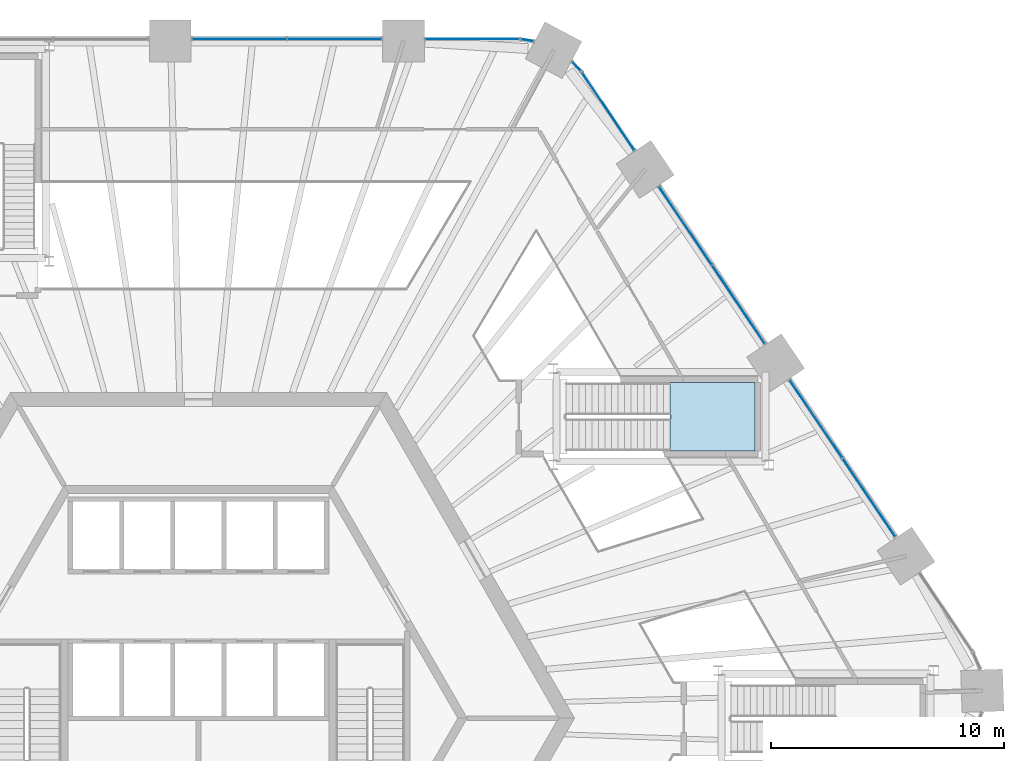
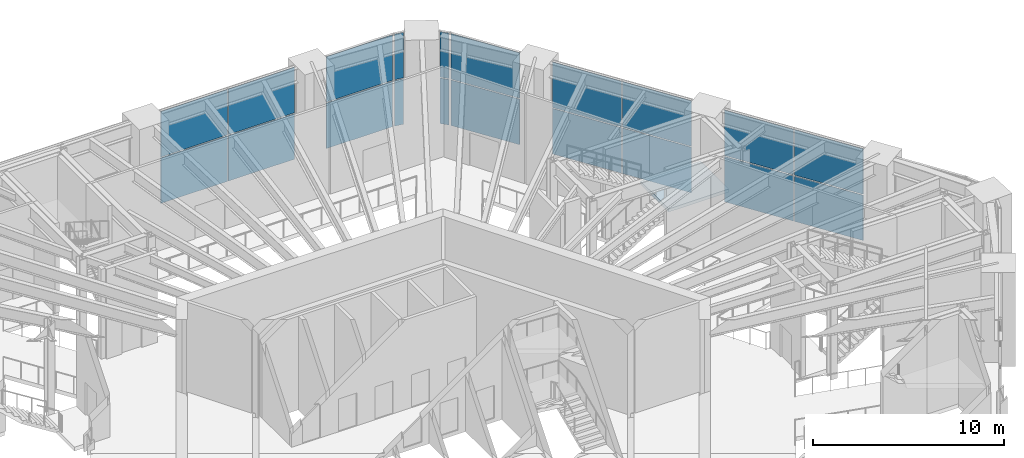
# One storey, part 19 of 32: 20 plates, 1 slab, 8 elements without a shape of their own.
"""IFC4 building model written with IfcOpenShell, lengths in metres."""

from ifc_helpers import new_model, si_unit, direction, frame, origin, origin_2d, place, context, subcontext, project, spatial, polyline, rectangle, outline, extrude, material, layer, layer_set, type_object, element, aggregate, save


model = new_model("IFC4")

# Units and contexts
model_context = context("Model", 3, precision=1e-05, world=origin(), true_north=direction((0.0, 1.0)))
body_context = subcontext(model_context, "Body", "Model", "MODEL_VIEW")
ifc_project = project(units=[si_unit("LENGTHUNIT", "METRE"), si_unit("AREAUNIT", "SQUARE_METRE"), si_unit("VOLUMEUNIT", "CUBIC_METRE"), si_unit("PLANEANGLEUNIT", "RADIAN"), si_unit("MASSUNIT", "GRAM", prefix="KILO")], contexts=[model_context])

# Site, building, storey
site_placement = place(None, origin())
site = spatial("IfcSite", under=ifc_project, at=site_placement, CompositionType="ELEMENT")
building_placement = place(site_placement, origin())
building = spatial("IfcBuilding", under=site, at=building_placement, Name="Tarnside Tower", CompositionType="ELEMENT")
storey_placement = place(building_placement, frame((0.0, 0.0, 9.0)))
storey = spatial("IfcBuildingStorey", under=building, at=storey_placement, Name="L01", CompositionType="ELEMENT", Elevation=9.0)

# Curtain wall, plates
ifc_material_1 = material(Name="Lobby entrance glazing wall", Category="glass")
curtain_wall_type_1 = type_object("IfcCurtainWallType", Name="Lobby entrance glazing wall", PredefinedType="NOTDEFINED", material=ifc_material_1)
curtain_wall_1_placement = place(storey_placement, origin())
curtain_wall_1 = element("IfcCurtainWall", 1, at=curtain_wall_1_placement, inside=storey, type_object=curtain_wall_type_1, Name="Lobby entrance glazing L01 20.0", PredefinedType="NOTDEFINED")
ifc_material_2 = material(Name="Low-iron safety glass", Category="glass")
ifc_layer_1 = layer(ifc_material_2, 0.030029296875)
ifc_layer_set_1 = layer_set([ifc_layer_1], Name="Lobby entrance glazing panel 30")
plate_type_1 = type_object("IfcPlateType", Name="Lobby entrance glazing panel 30", PredefinedType="CURTAIN_PANEL", material=ifc_layer_set_1)
plate_1_placement = place(storey_placement, frame((28.8193359375, 9.473876953125, -0.179931640625), z_axis=(0.0, 0.0, 1.0), x_axis=(-0.559192903485, 0.829037572545, 0.0)))
plate_1 = element("IfcPlate", 2, at=plate_1_placement, type_object=plate_type_1, Name="CW3 panel 1.1", PredefinedType="CURTAIN_PANEL", context=body_context, shape_type="SweptSolid", body=[
    extrude(rectangle(XDim=4.0068359375, YDim=0.030029296875, at=origin_2d()), origin(), (0.0, 0.0, 1.0), 2.89501953125),
])
plate_2_placement = place(storey_placement, frame((28.8193359375, 9.473876953125, 2.784912109375), z_axis=(0.0, 0.0, 1.0), x_axis=(-0.559192903485, 0.829037572545, 0.0)))
plate_2 = element("IfcPlate", 3, at=plate_2_placement, type_object=plate_type_1, Name="CW3 panel 1.2", PredefinedType="CURTAIN_PANEL", context=body_context, shape_type="SweptSolid", body=[
    extrude(rectangle(XDim=4.0068359375, YDim=0.030029296875, at=origin_2d()), origin(), (0.0, 0.0, 1.0), 2.89501953125),
])
plate_3_placement = place(storey_placement, frame((26.53955078125, 12.853759765625, -0.179931640625), z_axis=(0.0, 0.0, 1.0), x_axis=(-0.559192903485, 0.829037572545, 0.0)))
plate_3 = element("IfcPlate", 4, at=plate_3_placement, type_object=plate_type_1, Name="CW3 panel 2.1", PredefinedType="CURTAIN_PANEL", context=body_context, shape_type="SweptSolid", body=[
    extrude(rectangle(XDim=4.0068359375, YDim=0.030029296875, at=origin_2d()), origin(), (0.0, 0.0, 1.0), 2.89501953125),
])
plate_4_placement = place(storey_placement, frame((26.53955078125, 12.853759765625, 2.784912109375), z_axis=(0.0, 0.0, 1.0), x_axis=(-0.559192903485, 0.829037572545, 0.0)))
plate_4 = element("IfcPlate", 5, at=plate_4_placement, type_object=plate_type_1, Name="CW3 panel 2.2", PredefinedType="CURTAIN_PANEL", context=body_context, shape_type="SweptSolid", body=[
    extrude(rectangle(XDim=4.0068359375, YDim=0.030029296875, at=origin_2d()), origin(), (0.0, 0.0, 1.0), 2.89501953125),
])
aggregate(curtain_wall_1, [plate_1, plate_2, plate_3, plate_4])

# Stair, slab
ifc_material_3 = material(Name="Concrete C40/50", Category="concrete")
stair_type = type_object("IfcStairType", Name="Podium exit stair 1400 clear", PredefinedType="HALF_TURN_STAIR", material=ifc_material_3)
stair_placement = place(storey_placement, origin())
stair = element("IfcStair", 6, at=stair_placement, inside=storey, type_object=stair_type, Name="L01 Podium exit stair 4", PredefinedType="HALF_TURN_STAIR")
ifc_layer_2 = layer(ifc_material_3, 0.199951171875)
ifc_layer_set_2 = layer_set([ifc_layer_2], Name="Podium stair landing 200 C40/50")
slab_type = type_object("IfcSlabType", Name="Podium stair landing 200 C40/50", PredefinedType="LANDING", material=ifc_layer_set_2)
slab_placement = place(storey_placement, frame((0.0, 0.0, 2.800048828125)))
slab = element("IfcSlab", 7, at=slab_placement, type_object=slab_type, Name="PS4 landing 1", PredefinedType="LANDING", context=body_context, shape_type="SweptSolid", body=[
    extrude(outline(polyline([(20.27001953125, 11.47509765625), (23.909912109375, 11.47509765625), (23.909912109375, 14.425048828125), (20.27001953125, 14.425048828125), (20.27001953125, 11.47509765625)])), origin(), (0.0, 0.0, 1.0), 0.199951171875),
])
aggregate(stair, [slab])

# Curtain wall, plates
ifc_material_4 = material(Name="Retail shopfront glazing wall", Category="glass")
curtain_wall_type_2 = type_object("IfcCurtainWallType", Name="Retail shopfront glazing wall", PredefinedType="NOTDEFINED", material=ifc_material_4)
curtain_wall_2_placement = place(storey_placement, origin())
curtain_wall_2 = element("IfcCurtainWall", 8, at=curtain_wall_2_placement, inside=storey, type_object=curtain_wall_type_2, Name="Retail shopfront glazing L01 00.0", PredefinedType="NOTDEFINED")
ifc_layer_3 = layer(ifc_material_2, 0.028076171875)
ifc_layer_set_3 = layer_set([ifc_layer_3], Name="Retail shopfront glazing panel 28")
plate_type_2 = type_object("IfcPlateType", Name="Retail shopfront glazing panel 28", PredefinedType="CURTAIN_PANEL", material=ifc_layer_set_3)
plate_5_placement = place(storey_placement, frame((5.841796875, 29.179931640625, -0.18994140625), z_axis=(0.0, 0.0, 1.0), x_axis=(-1.0, 0.0, 0.0)))
plate_5 = element("IfcPlate", 9, at=plate_5_placement, type_object=plate_type_2, Name="CW2 panel 1.1", PredefinedType="CURTAIN_PANEL", context=body_context, shape_type="SweptSolid", body=[
    extrude(rectangle(XDim=4.021728515625, YDim=0.028076171875, at=origin_2d()), origin(), (0.0, 0.0, 1.0), 2.909912109375),
])
plate_6_placement = place(storey_placement, frame((5.841796875, 29.179931640625, 2.7802734375), z_axis=(0.0, 0.0, 1.0), x_axis=(-1.0, 0.0, 0.0)))
plate_6 = element("IfcPlate", 10, at=plate_6_placement, type_object=plate_type_2, Name="CW2 panel 1.2", PredefinedType="CURTAIN_PANEL", context=body_context, shape_type="SweptSolid", body=[
    extrude(rectangle(XDim=4.021728515625, YDim=0.028076171875, at=origin_2d()), origin(), (0.0, 0.0, 1.0), 2.909912109375),
])
plate_7_placement = place(storey_placement, frame((1.759765625, 29.179931640625, -0.18994140625), z_axis=(0.0, 0.0, 1.0), x_axis=(-1.0, 0.0, 0.0)))
plate_7 = element("IfcPlate", 11, at=plate_7_placement, type_object=plate_type_2, Name="CW2 panel 2.1", PredefinedType="CURTAIN_PANEL", context=body_context, shape_type="SweptSolid", body=[
    extrude(rectangle(XDim=4.021728515625, YDim=0.028076171875, at=origin_2d()), origin(), (0.0, 0.0, 1.0), 2.909912109375),
])
plate_8_placement = place(storey_placement, frame((1.759765625, 29.179931640625, 2.7802734375), z_axis=(0.0, 0.0, 1.0), x_axis=(-1.0, 0.0, 0.0)))
plate_8 = element("IfcPlate", 12, at=plate_8_placement, type_object=plate_type_2, Name="CW2 panel 2.2", PredefinedType="CURTAIN_PANEL", context=body_context, shape_type="SweptSolid", body=[
    extrude(rectangle(XDim=4.021728515625, YDim=0.028076171875, at=origin_2d()), origin(), (0.0, 0.0, 1.0), 2.909912109375),
])
aggregate(curtain_wall_2, [plate_5, plate_6, plate_7, plate_8])

curtain_wall_3_placement = place(storey_placement, origin())
curtain_wall_3 = element("IfcCurtainWall", 13, at=curtain_wall_3_placement, inside=storey, type_object=curtain_wall_type_2, Name="Retail shopfront glazing L01 21.0", PredefinedType="NOTDEFINED")
plate_9_placement = place(storey_placement, frame((23.207275390625, 17.776123046875, -0.18994140625), z_axis=(0.0, 0.0, 1.0), x_axis=(-0.559192903485, 0.829037572545, 0.0)))
plate_9 = element("IfcPlate", 14, at=plate_9_placement, type_object=plate_type_2, Name="CW2 panel 1.1", PredefinedType="CURTAIN_PANEL", context=body_context, shape_type="SweptSolid", body=[
    extrude(rectangle(XDim=4.021728515625, YDim=0.028076171875, at=origin_2d()), origin(), (0.0, 0.0, 1.0), 2.909912109375),
])
plate_10_placement = place(storey_placement, frame((23.207275390625, 17.776123046875, 2.7802734375), z_axis=(0.0, 0.0, 1.0), x_axis=(-0.559192903485, 0.829037572545, 0.0)))
plate_10 = element("IfcPlate", 15, at=plate_10_placement, type_object=plate_type_2, Name="CW2 panel 1.2", PredefinedType="CURTAIN_PANEL", context=body_context, shape_type="SweptSolid", body=[
    extrude(rectangle(XDim=4.021728515625, YDim=0.028076171875, at=origin_2d()), origin(), (0.0, 0.0, 1.0), 2.909912109375),
])
plate_11_placement = place(storey_placement, frame((20.9248046875, 21.16015625, -0.18994140625), z_axis=(0.0, 0.0, 1.0), x_axis=(-0.559192903485, 0.829037572545, 0.0)))
plate_11 = element("IfcPlate", 16, at=plate_11_placement, type_object=plate_type_2, Name="CW2 panel 2.1", PredefinedType="CURTAIN_PANEL", context=body_context, shape_type="SweptSolid", body=[
    extrude(rectangle(XDim=4.021728515625, YDim=0.028076171875, at=origin_2d()), origin(), (0.0, 0.0, 1.0), 2.909912109375),
])
plate_12_placement = place(storey_placement, frame((20.9248046875, 21.16015625, 2.7802734375), z_axis=(0.0, 0.0, 1.0), x_axis=(-0.559192903485, 0.829037572545, 0.0)))
plate_12 = element("IfcPlate", 17, at=plate_12_placement, type_object=plate_type_2, Name="CW2 panel 2.2", PredefinedType="CURTAIN_PANEL", context=body_context, shape_type="SweptSolid", body=[
    extrude(rectangle(XDim=4.021728515625, YDim=0.028076171875, at=origin_2d()), origin(), (0.0, 0.0, 1.0), 2.909912109375),
])
aggregate(curtain_wall_3, [plate_9, plate_10, plate_11, plate_12])

curtain_wall_4_placement = place(storey_placement, origin())
curtain_wall_4 = element("IfcCurtainWall", 18, at=curtain_wall_4_placement, inside=storey, type_object=curtain_wall_type_2, Name="Retail shopfront glazing L01 22.0", PredefinedType="NOTDEFINED")
plate_13_placement = place(storey_placement, frame((17.6103515625, 26.07373046875, -0.18994140625), z_axis=(0.0, 0.0, 1.0), x_axis=(-0.559192903413, 0.829037572594, 0.0)))
plate_13 = element("IfcPlate", 19, at=plate_13_placement, type_object=plate_type_2, Name="CW2 panel 1.1", PredefinedType="CURTAIN_PANEL", context=body_context, shape_type="SweptSolid", body=[
    extrude(rectangle(XDim=3.991943359375, YDim=0.028076171875, at=origin_2d()), origin(), (0.0, 0.0, 1.0), 2.909912109375),
])
plate_14_placement = place(storey_placement, frame((17.6103515625, 26.07373046875, 2.7802734375), z_axis=(0.0, 0.0, 1.0), x_axis=(-0.559192903413, 0.829037572594, 0.0)))
plate_14 = element("IfcPlate", 20, at=plate_14_placement, type_object=plate_type_2, Name="CW2 panel 1.2", PredefinedType="CURTAIN_PANEL", context=body_context, shape_type="SweptSolid", body=[
    extrude(rectangle(XDim=3.991943359375, YDim=0.028076171875, at=origin_2d()), origin(), (0.0, 0.0, 1.0), 2.909912109375),
])
aggregate(curtain_wall_4, [plate_13, plate_14])

curtain_wall_5_placement = place(storey_placement, origin())
curtain_wall_5 = element("IfcCurtainWall", 21, at=curtain_wall_5_placement, inside=storey, type_object=curtain_wall_type_2, Name="Retail shopfront glazing L01 22.1", PredefinedType="NOTDEFINED")
plate_15_placement = place(storey_placement, frame((16.243896484375, 28.009521484375, -0.18994140625), z_axis=(0.0, 0.0, 1.0), x_axis=(-0.686241637814, 0.727373641625, 0.0)))
plate_15 = element("IfcPlate", 22, at=plate_15_placement, type_object=plate_type_2, Name="CW2 panel 1.1", PredefinedType="CURTAIN_PANEL", context=body_context, shape_type="SweptSolid", body=[
    extrude(rectangle(XDim=0.48828125, YDim=0.028076171875, at=origin_2d()), origin(), (0.0, 0.0, 1.0), 2.909912109375),
])
plate_16_placement = place(storey_placement, frame((16.243896484375, 28.009521484375, 2.7802734375), z_axis=(0.0, 0.0, 1.0), x_axis=(-0.686241637814, 0.727373641625, 0.0)))
plate_16 = element("IfcPlate", 23, at=plate_16_placement, type_object=plate_type_2, Name="CW2 panel 1.2", PredefinedType="CURTAIN_PANEL", context=body_context, shape_type="SweptSolid", body=[
    extrude(rectangle(XDim=0.48828125, YDim=0.028076171875, at=origin_2d()), origin(), (0.0, 0.0, 1.0), 2.909912109375),
])
aggregate(curtain_wall_5, [plate_15, plate_16])

curtain_wall_6_placement = place(storey_placement, origin())
curtain_wall_6 = element("IfcCurtainWall", 24, at=curtain_wall_6_placement, inside=storey, type_object=curtain_wall_type_2, Name="Retail shopfront glazing L01 23.0", PredefinedType="NOTDEFINED")
plate_17_placement = place(storey_placement, frame((14.137451171875, 29.129638671875, -0.18994140625), z_axis=(0.0, 0.0, 1.0), x_axis=(-0.986761531995, 0.162177923823, 0.0)))
plate_17 = element("IfcPlate", 25, at=plate_17_placement, type_object=plate_type_2, Name="CW2 panel 1.1", PredefinedType="CURTAIN_PANEL", context=body_context, shape_type="SweptSolid", body=[
    extrude(rectangle(XDim=0.48828125, YDim=0.028076171875, at=origin_2d()), origin(), (0.0, 0.0, 1.0), 2.909912109375),
])
plate_18_placement = place(storey_placement, frame((14.137451171875, 29.129638671875, 2.7802734375), z_axis=(0.0, 0.0, 1.0), x_axis=(-0.986761531995, 0.162177923823, 0.0)))
plate_18 = element("IfcPlate", 26, at=plate_18_placement, type_object=plate_type_2, Name="CW2 panel 1.2", PredefinedType="CURTAIN_PANEL", context=body_context, shape_type="SweptSolid", body=[
    extrude(rectangle(XDim=0.48828125, YDim=0.028076171875, at=origin_2d()), origin(), (0.0, 0.0, 1.0), 2.909912109375),
])
aggregate(curtain_wall_6, [plate_17, plate_18])

curtain_wall_7_placement = place(storey_placement, origin())
curtain_wall_7 = element("IfcCurtainWall", 27, at=curtain_wall_7_placement, inside=storey, type_object=curtain_wall_type_2, Name="Retail shopfront glazing L01 23.1", PredefinedType="NOTDEFINED")
plate_19_placement = place(storey_placement, frame((11.7685546875, 29.179931640625, -0.18994140625), z_axis=(0.0, 0.0, 1.0), x_axis=(-1.0, 0.0, 0.0)))
plate_19 = element("IfcPlate", 28, at=plate_19_placement, type_object=plate_type_2, Name="CW2 panel 1.1", PredefinedType="CURTAIN_PANEL", context=body_context, shape_type="SweptSolid", body=[
    extrude(rectangle(XDim=3.991943359375, YDim=0.028076171875, at=origin_2d()), origin(), (0.0, 0.0, 1.0), 2.909912109375),
])
plate_20_placement = place(storey_placement, frame((11.7685546875, 29.179931640625, 2.7802734375), z_axis=(0.0, 0.0, 1.0), x_axis=(-1.0, 0.0, 0.0)))
plate_20 = element("IfcPlate", 29, at=plate_20_placement, type_object=plate_type_2, Name="CW2 panel 1.2", PredefinedType="CURTAIN_PANEL", context=body_context, shape_type="SweptSolid", body=[
    extrude(rectangle(XDim=3.991943359375, YDim=0.028076171875, at=origin_2d()), origin(), (0.0, 0.0, 1.0), 2.909912109375),
])
aggregate(curtain_wall_7, [plate_19, plate_20])

save(model, "model.ifc")
